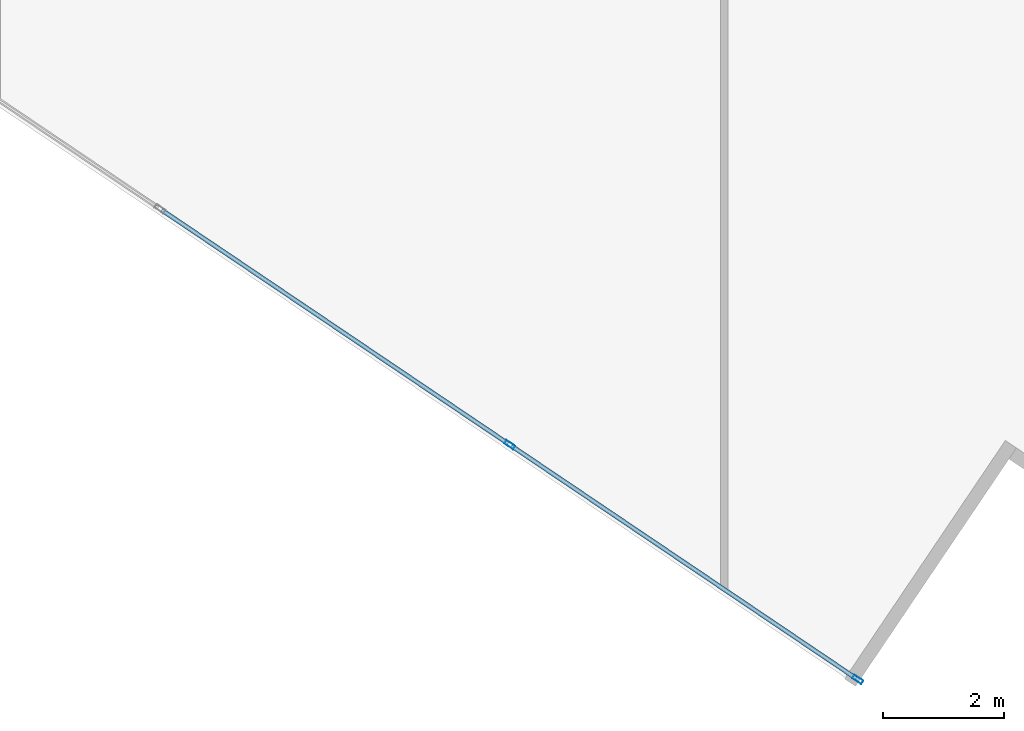
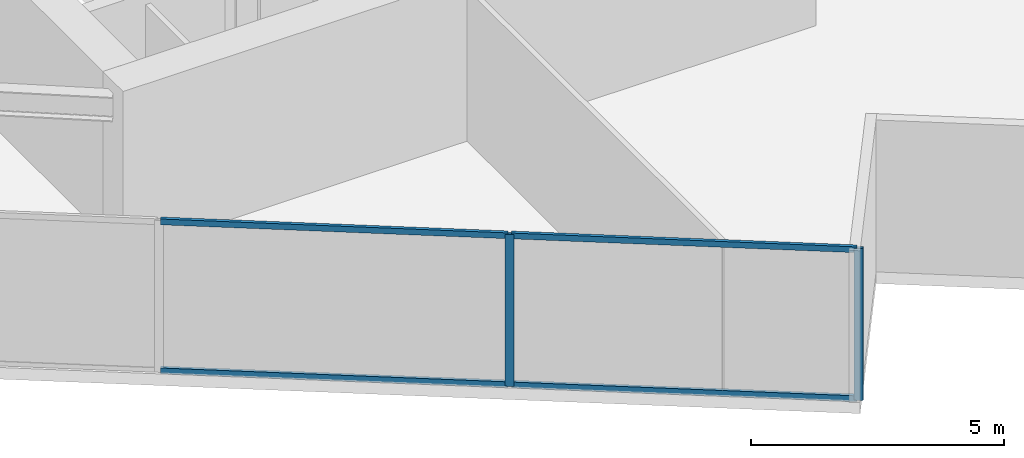
# One storey, part 3 of 27: 6 members, 1 element without a shape of its own.
"""IFC4 building model written with IfcOpenShell, lengths in metres."""

import ifcopenshell
import ifcopenshell.guid

model = None  # the IFC model being written
_history = None  # IfcOwnerHistory: only IFC2X3 demands one
_inside = {}  # id of a spatial element -> (the spatial element, [elements in it])
_under = {}  # id of a project, library or spatial element -> (it, [spatial elements below it])
_declared = {}  # id of a project -> (the project, [libraries it declares])
_typed = {}  # id of a type object -> (the type object, [elements of that type])
_made_of = {}  # id of a material, layer set ... -> (it, [elements and type objects made of it])


def new_model(schema):
    """Start an empty IFC model of exactly this schema.

    Asked for "IFC4X3", IfcOpenShell would pick the latest addendum, in which some entities
    have other attributes; the version numbers below select the first issue.
    IFC2X3 requires an IfcOwnerHistory on every rooted entity: one is made here for all.
    """
    global model, _history
    if schema == "IFC4X3":
        model = ifcopenshell.file(schema_version=(4, 3, 0, 0))
    else:
        model = ifcopenshell.file(schema=schema)
    _inside.clear()
    _under.clear()
    _declared.clear()
    _typed.clear()
    _made_of.clear()
    _history = None
    if model.schema == "IFC2X3":
        org = make("IfcOrganization", Name="unknown")
        user = make(
            "IfcPersonAndOrganization",
            ThePerson=make("IfcPerson", FamilyName="unknown"),
            TheOrganization=org,
        )
        app = make(
            "IfcApplication",
            ApplicationDeveloper=org,
            Version="unknown",
            ApplicationFullName="unknown",
            ApplicationIdentifier="unknown",
        )
        _history = make(
            "IfcOwnerHistory",
            OwningUser=user,
            OwningApplication=app,
            ChangeAction="ADDED",
            CreationDate=0,
        )
    return model


def make(cls, **values):
    """One entity of the class cls with the attributes given. An attribute that is None is left unset."""
    return model.create_entity(
        cls, **{name: value for name, value in values.items() if value is not None}
    )


def rooted(cls, **values):
    """An entity with a GlobalId (a new one), such as an element, a storey or a relation."""
    return make(cls, GlobalId=ifcopenshell.guid.new(), OwnerHistory=_history, **values)


def si_unit(unit_type, name, prefix=None):
    """IfcSIUnit, for example si_unit("LENGTHUNIT", "METRE", prefix="MILLI")."""
    return make("IfcSIUnit", UnitType=unit_type, Prefix=prefix, Name=name)


def assignment(units):
    """IfcUnitAssignment: the units of a project."""
    return None if units is None else make("IfcUnitAssignment", Units=units)


def point(xyz):
    """IfcCartesianPoint."""
    return None if xyz is None else make("IfcCartesianPoint", Coordinates=xyz)


def direction(xyz):
    """IfcDirection."""
    return None if xyz is None else make("IfcDirection", DirectionRatios=xyz)


def frame(location, z_axis=None, x_axis=None):
    """IfcAxis2Placement3D, a coordinate frame: its origin and axes. An axis left out is left unset."""
    return make(
        "IfcAxis2Placement3D",
        Location=point(location),
        Axis=direction(z_axis),
        RefDirection=direction(x_axis),
    )


def frame_2d(location, x_axis=None):
    """IfcAxis2Placement2D, a coordinate frame in the plane: its origin and x axis."""
    return make(
        "IfcAxis2Placement2D", Location=point(location), RefDirection=direction(x_axis)
    )


def origin():
    """The frame at (0, 0, 0) with its axes left unset."""
    return frame((0.0, 0.0, 0.0))


def origin_2d():
    """The frame at (0, 0) in the plane with its x axis left unset."""
    return frame_2d((0.0, 0.0))


def place(relative_to, where):
    """IfcLocalPlacement: puts the frame where relative to a parent placement (None: the world)."""
    return make(
        "IfcLocalPlacement", PlacementRelTo=relative_to, RelativePlacement=where
    )


def context(
    kind, dimensions, precision=None, world=None, true_north=None, identifier=None
):
    """IfcGeometricRepresentationContext, for example the 3D "Model" context."""
    return make(
        "IfcGeometricRepresentationContext",
        ContextIdentifier=identifier,
        ContextType=kind,
        CoordinateSpaceDimension=dimensions,
        Precision=precision,
        WorldCoordinateSystem=world,
        TrueNorth=true_north,
    )


def subcontext(parent, identifier, kind, view, scale=None):
    """IfcGeometricRepresentationSubContext, for example "Body" below "Model"."""
    return make(
        "IfcGeometricRepresentationSubContext",
        ContextIdentifier=identifier,
        ContextType=kind,
        ParentContext=parent,
        TargetScale=scale,
        TargetView=view,
    )


def project(units=None, contexts=None):
    """IfcProject with its units and contexts."""
    return rooted(
        "IfcProject",
        Name="project",
        RepresentationContexts=contexts,
        UnitsInContext=assignment(units),
    )


def spatial(cls, under=None, at=None, **own):
    """A site, building, storey or space (cls), placed at a placement, below another one or the project."""
    s = rooted(cls, ObjectPlacement=at, **own)
    if under is not None:
        _under.setdefault(under.id(), (under, []))[1].append(s)
    return s


def profile(cls, at=None, kind="AREA", **sizes):
    """A parametric profile (cls). Its sizes go by their IFC names, for example OverallWidth=200.0."""
    return make(cls, ProfileType=kind, Position=at, **sizes)


def hollow_rectangle(**sizes):
    """IfcRectangleHollowProfileDef."""
    return profile("IfcRectangleHollowProfileDef", **sizes)


def extrude(swept, where, along, depth):
    """IfcExtrudedAreaSolid: the profile swept, set in the frame where, extruded along a direction by depth."""
    return make(
        "IfcExtrudedAreaSolid",
        SweptArea=swept,
        Position=where,
        ExtrudedDirection=direction(along),
        Depth=depth,
    )


def shape(context_of_items, identifier, shape_type, items):
    """IfcShapeRepresentation: the items that make up one representation, for example the "Body"."""
    return make(
        "IfcShapeRepresentation",
        ContextOfItems=context_of_items,
        RepresentationIdentifier=identifier,
        RepresentationType=shape_type,
        Items=items,
    )


def source(mapping_origin, context_of_items, identifier, shape_type, items):
    """IfcRepresentationMap: a shape defined once, which mapped items show again and again."""
    return make(
        "IfcRepresentationMap",
        MappingOrigin=mapping_origin,
        MappedRepresentation=shape(context_of_items, identifier, shape_type, items),
    )


def transform(
    local_origin,
    x_axis=None,
    y_axis=None,
    z_axis=None,
    scale=None,
    scale2=None,
    scale3=None,
    uniform=True,
):
    """IfcCartesianTransformationOperator3D, or its non-uniform kind. x_axis, y_axis, z_axis: its Axis1, 2, 3."""
    if uniform:
        return make(
            "IfcCartesianTransformationOperator3D",
            Axis1=direction(x_axis),
            Axis2=direction(y_axis),
            LocalOrigin=point(local_origin),
            Scale=scale,
            Axis3=direction(z_axis),
        )
    return make(
        "IfcCartesianTransformationOperator3DnonUniform",
        Axis1=direction(x_axis),
        Axis2=direction(y_axis),
        LocalOrigin=point(local_origin),
        Scale=scale,
        Axis3=direction(z_axis),
        Scale2=scale2,
        Scale3=scale3,
    )


def mapped(mapping_source, mapping_target):
    """IfcMappedItem: shows the shape of a source again, moved by a transform."""
    return make(
        "IfcMappedItem", MappingSource=mapping_source, MappingTarget=mapping_target
    )


def material(Name=None, Category=None):
    """IfcMaterial."""
    return make("IfcMaterial", Name=Name, Category=Category)


def material_profile(
    of_material, cross_section, Name=None, Category=None, Priority=None
):
    """IfcMaterialProfile: a cross section and its material."""
    return make(
        "IfcMaterialProfile",
        Name=Name,
        Material=of_material,
        Profile=cross_section,
        Priority=Priority,
        Category=Category,
    )


def profile_set(profiles, Name=None, composite=None):
    """IfcMaterialProfileSet."""
    return make(
        "IfcMaterialProfileSet",
        Name=Name,
        MaterialProfiles=profiles,
        CompositeProfile=composite,
    )


def made_of(thing, what):
    """Note that an element or type object is made of a material, layer set ...; save() writes the relation."""
    if what is not None:
        _made_of.setdefault(what.id(), (what, []))[1].append(thing)
    return thing


def type_object(cls, material=None, **own):
    """A type object (cls), such as IfcWallType, which elements share."""
    return made_of(rooted(cls, **own), material)


def type_shapes(of_type, sources):
    """Give a type object the sources (RepresentationMaps) that its elements show as mapped items."""
    of_type.RepresentationMaps = sources


def element(
    cls,
    number,
    at=None,
    inside=None,
    cuts=None,
    type_object=None,
    material=None,
    context=None,
    identifier="Body",
    shape_type=None,
    held_by="IfcProductDefinitionShape",
    body=None,
    shapes=None,
    **own,
):
    """One element of the class cls, such as IfcWall. Its Tag is "e" and its number.

    at: its placement. inside: the storey or other place that contains it. cuts: it is an
    opening in that element (IfcRelVoidsElement). A single representation is given by context,
    identifier, shape_type and body (its items); several are given by shapes. held_by: the class
    of the entity that holds the representations. save() writes the other relations.
    """
    e = rooted(cls, Tag="e%d" % number, ObjectPlacement=at, **own)
    if body is not None:
        shapes = [shape(context, identifier, shape_type, body)]
    if shapes is not None:
        e.Representation = make(held_by, Representations=shapes)
    if inside is not None:
        _inside.setdefault(inside.id(), (inside, []))[1].append(e)
    if cuts is not None:
        rooted(
            "IfcRelVoidsElement", RelatingBuildingElement=cuts, RelatedOpeningElement=e
        )
    if type_object is not None:
        _typed.setdefault(type_object.id(), (type_object, []))[1].append(e)
    return made_of(e, material)


def aggregate(whole, parts):
    """IfcRelAggregates: a whole, such as a stair, and the parts it consists of."""
    return rooted("IfcRelAggregates", RelatingObject=whole, RelatedObjects=parts)


def save(model, path):
    """Write the relations noted so far, then the file.

    IfcRelAggregates (storeys below a building ...), IfcRelContainedInSpatialStructure (elements
    in a storey), IfcRelDefinesByType, IfcRelAssociatesMaterial and IfcRelDeclares: one each for
    every whole, place, type object, material and project.
    """
    for whole, parts in _under.values():
        aggregate(whole, parts)
    for where, things in _inside.values():
        rooted(
            "IfcRelContainedInSpatialStructure",
            RelatedElements=things,
            RelatingStructure=where,
        )
    for kind, things in _typed.values():
        rooted("IfcRelDefinesByType", RelatedObjects=things, RelatingType=kind)
    for what, things in _made_of.values():
        rooted("IfcRelAssociatesMaterial", RelatedObjects=things, RelatingMaterial=what)
    for by, libraries in _declared.values():
        rooted("IfcRelDeclares", RelatingContext=by, RelatedDefinitions=libraries)
    model.write(path)


model = new_model("IFC4")

# Units and contexts
model_context = context("Model", 3, precision=1e-05, world=origin(), true_north=direction((0.0, 1.0)))
body_context = subcontext(model_context, "Body", "Model", "MODEL_VIEW")
ifc_project = project(units=[si_unit("LENGTHUNIT", "METRE"), si_unit("AREAUNIT", "SQUARE_METRE"), si_unit("VOLUMEUNIT", "CUBIC_METRE"), si_unit("PLANEANGLEUNIT", "RADIAN"), si_unit("MASSUNIT", "GRAM", prefix="KILO")], contexts=[model_context])

# Site, building, storey
site_placement = place(None, origin())
site = spatial("IfcSite", under=ifc_project, at=site_placement, CompositionType="ELEMENT")
building_placement = place(site_placement, origin())
building = spatial("IfcBuilding", under=site, at=building_placement, Name="Krantzveldt Concourse Tower", CompositionType="ELEMENT")
storey_placement = place(building_placement, frame((0.0, 0.0, 185.699951171875)))
storey = spatial("IfcBuildingStorey", under=building, at=storey_placement, Name="L45", CompositionType="ELEMENT", Elevation=185.699951171875)

# Curtain wall, members
ifc_material = material(Name="Anodised aluminium 6063-T6", Category="aluminium")
curtain_wall_type = type_object("IfcCurtainWallType", Name="CW3", PredefinedType="USERDEFINED", material=ifc_material)
curtain_wall_placement = place(storey_placement, origin())
curtain_wall = element("IfcCurtainWall", 1, at=curtain_wall_placement, inside=storey, type_object=curtain_wall_type, Name="CW-L45-F04", ObjectType="UNITISED CURTAIN WALL", PredefinedType="USERDEFINED")
ifc_material_profile_1 = material_profile(ifc_material, hollow_rectangle(XDim=0.070068359375, YDim=0.179931640625, WallThickness=0.0048828125, at=origin_2d()), Name="Anodised aluminium 6063-T6", Category="aluminium")
ifc_profile_set_1 = profile_set([ifc_material_profile_1], Name="Anodised aluminium 6063-T6 - ALU-MULL 180x70x5")
member_type_1 = type_object("IfcMemberType", Name="CW-MUL-180", PredefinedType="MULLION", material=ifc_profile_set_1)
shared_shape_1 = source(origin(), body_context, "Body", "SweptSolid", [
    extrude(hollow_rectangle(XDim=0.070068359375, YDim=0.179931640625, WallThickness=0.0048828125, at=origin_2d()), origin(), (0.0, 0.0, 1.0), 3.670166015625),
])
type_shapes(member_type_1, [shared_shape_1])
member_1_placement = place(storey_placement, frame((32.459228515625, 2.78076171875, 0.0), z_axis=(0.0, 0.0, 1.0), x_axis=(0.559192810447, 0.829037635301, 0.0)))
member_1 = element("IfcMember", 2, at=member_1_placement, type_object=member_type_1, Name="CW-Z34 mullion 5", PredefinedType="MULLION", context=body_context, shape_type="MappedRepresentation", body=[
    mapped(shared_shape_1, transform((0.0, 0.0, 0.0), x_axis=(1.0, 0.0, 0.0), y_axis=(0.0, 1.0, 0.0), z_axis=(0.0, 0.0, 1.0), scale=1.0)),
])
member_2_placement = place(storey_placement, frame((38.2001953125, -1.091796875, 0.0), z_axis=(0.0, 0.0, 1.0), x_axis=(0.559192810447, 0.829037635301, 0.0)))
member_2 = element("IfcMember", 3, at=member_2_placement, type_object=member_type_1, Name="CW-Z34 mullion 6", PredefinedType="MULLION", context=body_context, shape_type="MappedRepresentation", body=[
    mapped(shared_shape_1, transform((0.0, 0.0, 0.0), x_axis=(1.0, 0.0, 0.0), y_axis=(0.0, 1.0, 0.0), z_axis=(0.0, 0.0, 1.0), scale=1.0)),
])
ifc_material_profile_2 = material_profile(ifc_material, hollow_rectangle(XDim=0.070068359375, YDim=0.139892578125, WallThickness=0.0048828125, at=origin_2d()), Name="Anodised aluminium 6063-T6", Category="aluminium")
ifc_profile_set_2 = profile_set([ifc_material_profile_2], Name="Anodised aluminium 6063-T6 - ALU-TRAN 140x70x5")
member_type_2 = type_object("IfcMemberType", Name="CW-TRN-150", PredefinedType="USERDEFINED", material=ifc_profile_set_2)
shared_shape_2 = source(origin(), body_context, "Body", "SweptSolid", [
    extrude(hollow_rectangle(XDim=0.070068359375, YDim=0.139892578125, WallThickness=0.0048828125, at=origin_2d()), origin(), (0.0, 0.0, 1.0), 6.89013671875),
])
member_3_placement = place(storey_placement, frame((26.718017578125, 6.653076171875, 0.03515625), z_axis=(0.829045387848, -0.559181316648, 0.0), x_axis=(0.559181316648, 0.829045387848, 0.0)))
member_3 = element("IfcMember", 4, at=member_3_placement, type_object=member_type_2, Name="CW-Z34 transom 4.1", ObjectType="TRANSOM", PredefinedType="USERDEFINED", context=body_context, shape_type="MappedRepresentation", body=[
    mapped(shared_shape_2, transform((0.0, 0.0, 0.0), x_axis=(1.0, 0.0, 0.0), y_axis=(0.0, 1.0, 0.0), z_axis=(0.0, 0.0, 1.0), scale=1.0)),
])
member_4_placement = place(storey_placement, frame((26.718017578125, 6.653076171875, 3.635009765625), z_axis=(0.829045387848, -0.559181316648, 0.0), x_axis=(0.559181316648, 0.829045387848, 0.0)))
member_4 = element("IfcMember", 5, at=member_4_placement, type_object=member_type_2, Name="CW-Z34 transom 4.2", ObjectType="TRANSOM", PredefinedType="USERDEFINED", context=body_context, shape_type="MappedRepresentation", body=[
    mapped(shared_shape_2, transform((0.0, 0.0, 0.0), x_axis=(1.0, 0.0, 0.0), y_axis=(0.0, 1.0, 0.0), z_axis=(0.0, 0.0, 1.0), scale=1.0)),
])
shared_shape_3 = source(origin(), body_context, "Body", "SweptSolid", [
    extrude(hollow_rectangle(XDim=0.070068359375, YDim=0.139892578125, WallThickness=0.0048828125, at=origin_2d()), origin(), (0.0, 0.0, 1.0), 6.854736328125),
])
type_shapes(member_type_2, [shared_shape_2, shared_shape_3])
member_5_placement = place(storey_placement, frame((32.48828125, 2.76123046875, 0.03515625), z_axis=(0.829029890577, -0.559204292303, 0.0), x_axis=(0.559204292303, 0.829029890577, 0.0)))
member_5 = element("IfcMember", 6, at=member_5_placement, type_object=member_type_2, Name="CW-Z34 transom 5.1", ObjectType="TRANSOM", PredefinedType="USERDEFINED", context=body_context, shape_type="MappedRepresentation", body=[
    mapped(shared_shape_3, transform((0.0, 0.0, 0.0), x_axis=(1.0, 0.0, 0.0), y_axis=(0.0, 1.0, 0.0), z_axis=(0.0, 0.0, 1.0), scale=1.0)),
])
member_6_placement = place(storey_placement, frame((32.48828125, 2.76123046875, 3.635009765625), z_axis=(0.829029890577, -0.559204292303, 0.0), x_axis=(0.559204292303, 0.829029890577, 0.0)))
member_6 = element("IfcMember", 7, at=member_6_placement, type_object=member_type_2, Name="CW-Z34 transom 5.2", ObjectType="TRANSOM", PredefinedType="USERDEFINED", context=body_context, shape_type="MappedRepresentation", body=[
    mapped(shared_shape_3, transform((0.0, 0.0, 0.0), x_axis=(1.0, 0.0, 0.0), y_axis=(0.0, 1.0, 0.0), z_axis=(0.0, 0.0, 1.0), scale=1.0)),
])
aggregate(curtain_wall, [member_1, member_2, member_3, member_4, member_5, member_6])

save(model, "model.ifc")
